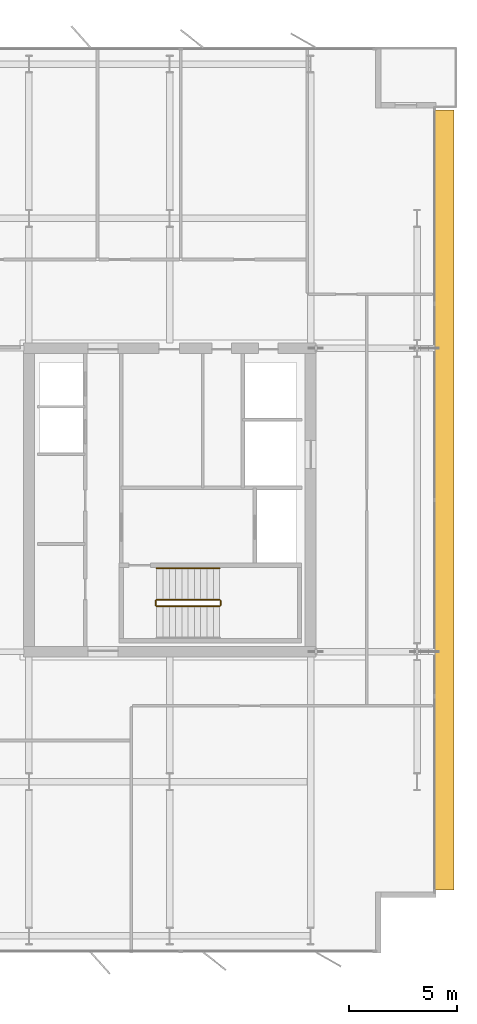
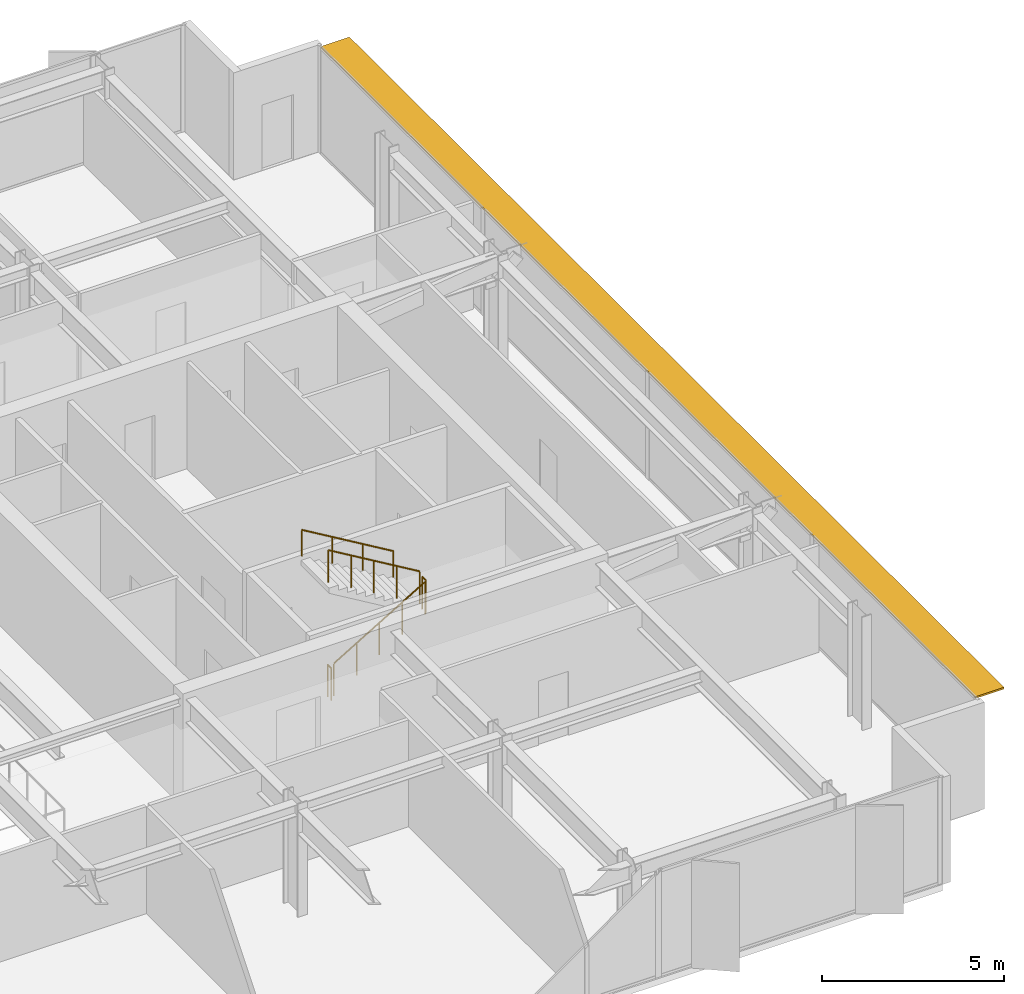
# One storey, part 18 of 19: 5 railings, 1 shading device.
"""IFC4 building model written with IfcOpenShell, lengths in metres."""

from ifc_helpers import new_model, si_unit, direction, frame, origin, origin_2d, place, context, subcontext, project, spatial, polyline, circle, outline, extrude, material, layer, layer_set, type_object, element, save


model = new_model("IFC4")

# Units and contexts
model_context = context("Model", 3, precision=1e-05, world=origin(), true_north=direction((0.0, 1.0)))
body_context = subcontext(model_context, "Body", "Model", "MODEL_VIEW")
ifc_project = project(units=[si_unit("LENGTHUNIT", "METRE"), si_unit("AREAUNIT", "SQUARE_METRE"), si_unit("VOLUMEUNIT", "CUBIC_METRE"), si_unit("PLANEANGLEUNIT", "RADIAN"), si_unit("MASSUNIT", "GRAM", prefix="KILO")], contexts=[model_context])

# Site, building, storey
site_placement = place(None, origin())
site = spatial("IfcSite", under=ifc_project, at=site_placement, CompositionType="ELEMENT")
building_placement = place(site_placement, origin())
building = spatial("IfcBuilding", under=site, at=building_placement, Name="Putna Gate Headquarters", CompositionType="ELEMENT")
storey_placement = place(building_placement, frame((0.0, 0.0, 255.60009765625)))
storey = spatial("IfcBuildingStorey", under=building, at=storey_placement, Name="L64", CompositionType="ELEMENT", Elevation=255.60009765625)

# Railings
ifc_material_1 = material(Name="Powder-coated steel stair guardrail", Category="steel")
railing_type_1 = type_object("IfcRailingType", Name="RAIL-STAIR-GUARD-1100", PredefinedType="GUARDRAIL", material=ifc_material_1)
railing_1_placement = place(storey_placement, frame((57.89990234375, 21.10009765625, 0.172607421875)))
element("IfcRailing", 1, at=railing_1_placement, inside=storey, type_object=railing_type_1, Name="L64 ST2 stair guard 1", PredefinedType="GUARDRAIL", context=body_context, shape_type="SweptSolid", body=[
    extrude(circle(Radius=0.02392578125, at=origin_2d()), frame((0.0, 0.0, 1.076171875), z_axis=(0.859160404282, 0.0, 0.51170636083), x_axis=(0.0, 1.0, 0.0)), (0.0, 0.0, 1.0), 3.37548828125),
    extrude(circle(Radius=0.02099609375, at=origin_2d()), origin(), (0.0, 0.0, 1.0), 1.052001953125),
    extrude(circle(Radius=0.02099609375, at=origin_2d()), frame((0.72509765625, 0.0, 0.431884765625)), (0.0, 0.0, 1.0), 1.052001953125),
    extrude(circle(Radius=0.02099609375, at=origin_2d()), frame((1.4501953125, 0.0, 0.86376953125)), (0.0, 0.0, 1.0), 1.052001953125),
    extrude(circle(Radius=0.02099609375, at=origin_2d()), frame((2.175048828125, 0.0, 1.29541015625)), (0.0, 0.0, 1.0), 1.052001953125),
    extrude(circle(Radius=0.02099609375, at=origin_2d()), frame((2.900146484375, 0.0, 1.727294921875)), (0.0, 0.0, 1.0), 1.052001953125),
])
railing_2_placement = place(storey_placement, frame((60.85009765625, 21.14990234375, 1.89990234375)))
element("IfcRailing", 2, at=railing_2_placement, inside=storey, type_object=railing_type_1, Name="L64 ST2 stair guard 2", PredefinedType="GUARDRAIL", context=body_context, shape_type="SweptSolid", body=[
    extrude(circle(Radius=0.02392578125, at=origin_2d()), frame((0.0, 0.0, 1.076171875), z_axis=(0.0, 1.0, 0.0), x_axis=(-1.0, 0.0, 0.0)), (0.0, 0.0, 1.0), 0.2001953125),
    extrude(circle(Radius=0.02099609375, at=origin_2d()), origin(), (0.0, 0.0, 1.0), 1.052001953125),
    extrude(circle(Radius=0.02099609375, at=origin_2d()), frame((0.0, 0.2001953125, 0.0)), (0.0, 0.0, 1.0), 1.052001953125),
])
railing_3_placement = place(storey_placement, frame((60.800048828125, 21.39990234375, 2.072509765625)))
element("IfcRailing", 3, at=railing_3_placement, inside=storey, type_object=railing_type_1, Name="L64 ST2 stair guard 3", PredefinedType="GUARDRAIL", context=body_context, shape_type="SweptSolid", body=[
    extrude(circle(Radius=0.02392578125, at=origin_2d()), frame((0.0, 0.0, 1.076171875), z_axis=(-0.859160404282, 0.0, 0.51170636083), x_axis=(0.0, -1.0, 0.0)), (0.0, 0.0, 1.0), 3.37548828125),
    extrude(circle(Radius=0.02099609375, at=origin_2d()), origin(), (0.0, 0.0, 1.0), 1.052001953125),
    extrude(circle(Radius=0.02099609375, at=origin_2d()), frame((-0.72509765625, 0.0, 0.431884765625)), (0.0, 0.0, 1.0), 1.052001953125),
    extrude(circle(Radius=0.02099609375, at=origin_2d()), frame((-1.4501953125, 0.0, 0.86376953125)), (0.0, 0.0, 1.0), 1.052001953125),
    extrude(circle(Radius=0.02099609375, at=origin_2d()), frame((-2.175048828125, 0.0, 1.29541015625)), (0.0, 0.0, 1.0), 1.052001953125),
    extrude(circle(Radius=0.02099609375, at=origin_2d()), frame((-2.900146484375, 0.0, 1.727294921875)), (0.0, 0.0, 1.0), 1.052001953125),
])
railing_4_placement = place(storey_placement, frame((57.85009765625, 21.14990234375, 0.0)))
element("IfcRailing", 4, at=railing_4_placement, inside=storey, type_object=railing_type_1, Name="L64 ST2 stair guard 4", PredefinedType="GUARDRAIL", context=body_context, shape_type="SweptSolid", body=[
    extrude(circle(Radius=0.02392578125, at=origin_2d()), frame((0.0, 0.0, 1.076171875), z_axis=(0.0, 1.0, 0.0), x_axis=(-1.0, 0.0, 0.0)), (0.0, 0.0, 1.0), 0.2001953125),
    extrude(circle(Radius=0.02099609375, at=origin_2d()), origin(), (0.0, 0.0, 1.0), 1.052001953125),
    extrude(circle(Radius=0.02099609375, at=origin_2d()), frame((0.0, 0.2001953125, 0.0)), (0.0, 0.0, 1.0), 1.052001953125),
])
ifc_material_2 = material(Name="Brushed stainless steel handrail", Category="steel")
railing_type_2 = type_object("IfcRailingType", Name="RAIL-STAIR-HAND-900", PredefinedType="HANDRAIL", material=ifc_material_2)
railing_5_placement = place(storey_placement, frame((60.800048828125, 22.85009765625, 2.072509765625)))
element("IfcRailing", 5, at=railing_5_placement, inside=storey, type_object=railing_type_2, Name="L64 ST2 stair handrail 2", PredefinedType="HANDRAIL", context=body_context, shape_type="SweptSolid", body=[
    extrude(circle(Radius=0.02392578125, at=origin_2d()), frame((0.0, 0.0, 0.8759765625), z_axis=(-0.859160404282, 0.0, 0.51170636083), x_axis=(0.0, -1.0, 0.0)), (0.0, 0.0, 1.0), 3.37548828125),
    extrude(circle(Radius=0.02099609375, at=origin_2d()), origin(), (0.0, 0.0, 1.0), 0.851806640625),
    extrude(circle(Radius=0.02099609375, at=origin_2d()), frame((-0.966796875, 0.0, 0.57568359375)), (0.0, 0.0, 1.0), 0.851806640625),
    extrude(circle(Radius=0.02099609375, at=origin_2d()), frame((-1.933349609375, 0.0, 1.151611328125)), (0.0, 0.0, 1.0), 0.851806640625),
    extrude(circle(Radius=0.02099609375, at=origin_2d()), frame((-2.900146484375, 0.0, 1.727294921875)), (0.0, 0.0, 1.0), 0.851806640625),
])

# Shading device
ifc_material_3 = material(Name="Anodised architectural bronze sunshade blade", Category="aluminium")
ifc_layer = layer(ifc_material_3, 0.06005859375)
ifc_layer_set = layer_set([ifc_layer], Name="Anodised architectural bronze sunshade blade")
shading_device_type = type_object("IfcShadingDeviceType", Name="SHADE-SAIL-BLADE-900", PredefinedType="USERDEFINED", material=ifc_layer_set)
shading_device_placement = place(storey_placement, frame((0.0, 0.0, 3.532958984375)))
element("IfcShadingDevice", 6, at=shading_device_placement, inside=storey, type_object=shading_device_type, Name="L64 East Sail Horizontal Bronze Sunshade Blade", ObjectType="SUNSHADE", PredefinedType="USERDEFINED", context=body_context, shape_type="SweptSolid", body=[
    extrude(outline(polyline([(70.719970703125, 8.0), (71.6201171875, 8.0), (71.6201171875, 44.0), (70.719970703125, 44.0), (70.719970703125, 8.0)])), origin(), (0.0, 0.0, 1.0), 0.06005859375),
])

save(model, "model.ifc")
